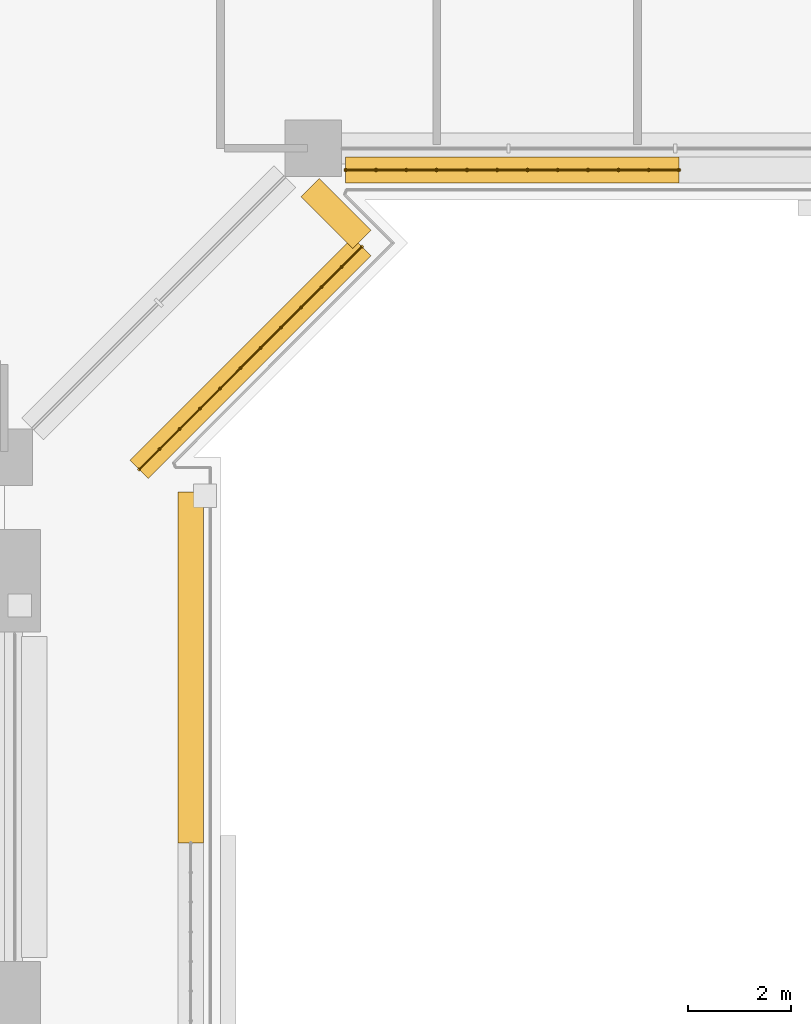
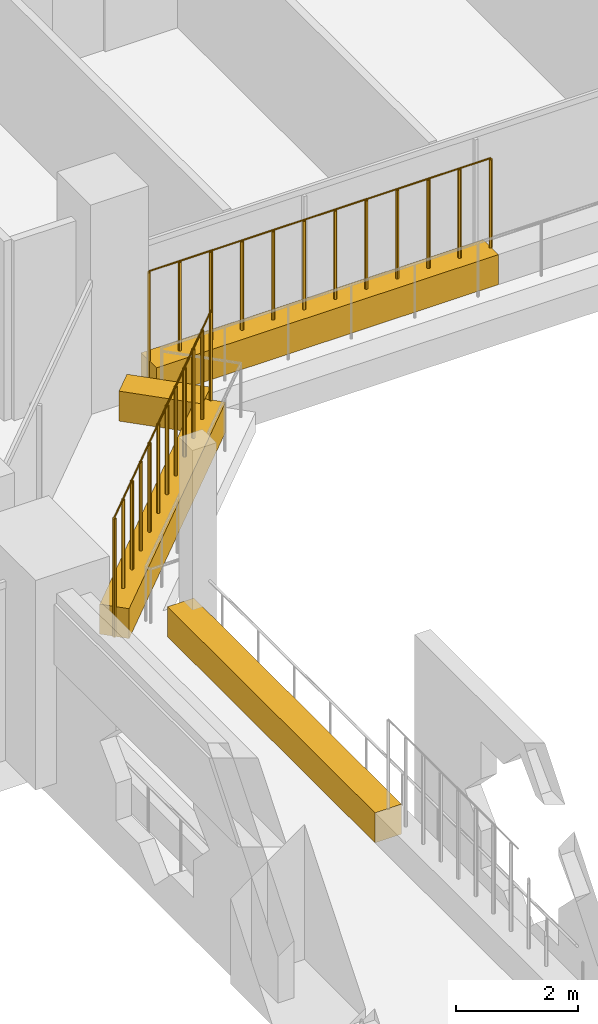
# One storey, part 25 of 29: 4 coverings, 2 railings.
"""IFC4 building model written with IfcOpenShell, lengths in metres."""

from ifc_helpers import new_model, si_unit, direction, frame, origin, origin_2d, place, context, subcontext, project, spatial, rectangle, circle, extrude, material, material_profile, profile_set, type_object, element, save


model = new_model("IFC4")

# Units and contexts
model_context = context("Model", 3, precision=1e-05, world=origin(), true_north=direction((0.0, 1.0)))
body_context = subcontext(model_context, "Body", "Model", "MODEL_VIEW")
ifc_project = project(units=[si_unit("LENGTHUNIT", "METRE"), si_unit("AREAUNIT", "SQUARE_METRE"), si_unit("VOLUMEUNIT", "CUBIC_METRE"), si_unit("PLANEANGLEUNIT", "RADIAN"), si_unit("MASSUNIT", "GRAM", prefix="KILO")], contexts=[model_context])

# Site, building, storey
site_placement = place(None, origin())
site = spatial("IfcSite", under=ifc_project, at=site_placement, CompositionType="ELEMENT")
building_placement = place(site_placement, origin())
building = spatial("IfcBuilding", under=site, at=building_placement, Name="Kawkab Arch Medical Tower", CompositionType="ELEMENT")
storey_placement = place(building_placement, frame((0.0, 0.0, 107.199951171875)))
storey = spatial("IfcBuildingStorey", under=building, at=storey_placement, Name="L24", CompositionType="ELEMENT", Elevation=107.199951171875)

# Coverings
ifc_material_1 = material(Name="Planting soil in a precast trough", Category="concrete")
ifc_material_profile = material_profile(ifc_material_1, rectangle(XDim=0.5, YDim=0.60009765625, at=origin_2d()), Name="Trough 500x600")
ifc_profile_set = profile_set([ifc_material_profile], Name="Planting soil in a precast trough")
covering_type = type_object("IfcCoveringType", Name="Planter trough 500 x 600", PredefinedType="USERDEFINED", material=ifc_profile_set)
covering_1_placement = place(storey_placement, frame((38.30810546875, -25.6201171875, 0.300048828125), z_axis=(-1.0, 0.0, 0.0), x_axis=(0.0, -1.0, 0.0)))
element("IfcCovering", 1, at=covering_1_placement, inside=storey, type_object=covering_type, Name="Planter L24.LOG-01-02.43", ObjectType="PLANTER", PredefinedType="USERDEFINED", context=body_context, shape_type="SweptSolid", body=[
    extrude(rectangle(XDim=0.5, YDim=0.60009765625, at=origin_2d()), origin(), (0.0, 0.0, 1.0), 6.47802734375),
])
covering_2_placement = place(storey_placement, frame((31.14306640625, -25.962890625, 0.300048828125), z_axis=(0.707020805532, -0.707192746389, 0.0), x_axis=(0.707192746389, 0.707020805532, 0.0)))
element("IfcCovering", 2, at=covering_2_placement, inside=storey, type_object=covering_type, Name="Planter L24.LOG-01-02.44", ObjectType="PLANTER", PredefinedType="USERDEFINED", context=body_context, shape_type="SweptSolid", body=[
    extrude(rectangle(XDim=0.5, YDim=0.60009765625, at=origin_2d()), origin(), (0.0, 0.0, 1.0), 1.419921875),
])
covering_3_placement = place(storey_placement, frame((32.14697265625, -27.10888671875, 0.300048828125), z_axis=(-0.707007043994, -0.707206504313, 0.0), x_axis=(0.707206504313, -0.707007043994, 0.0)))
element("IfcCovering", 3, at=covering_3_placement, inside=storey, type_object=covering_type, Name="Planter L24.LOG-01-02.45", ObjectType="PLANTER", PredefinedType="USERDEFINED", context=body_context, shape_type="SweptSolid", body=[
    extrude(rectangle(XDim=0.5, YDim=0.60009765625, at=origin_2d()), origin(), (0.0, 0.0, 1.0), 6.1201171875),
])
covering_4_placement = place(storey_placement, frame((28.820068359375, -31.8798828125, 0.300048828125), z_axis=(0.0, -1.0, 0.0), x_axis=(1.0, 0.0, 0.0)))
element("IfcCovering", 4, at=covering_4_placement, inside=storey, type_object=covering_type, Name="Planter L24.LOG-01-02.46", ObjectType="PLANTER", PredefinedType="USERDEFINED", context=body_context, shape_type="SweptSolid", body=[
    extrude(rectangle(XDim=0.5, YDim=0.60009765625, at=origin_2d()), origin(), (0.0, 0.0, 1.0), 6.81201171875),
])

# Railings
ifc_material_2 = material(Name="Bronze anodised aluminium trellis for climbing plants", Category="aluminium")
railing_type = type_object("IfcRailingType", Name="Planting trellis 2400", PredefinedType="USERDEFINED", material=ifc_material_2)
railing_1_placement = place(storey_placement, frame((38.30810546875, -25.6201171875, 0.0)))
element("IfcRailing", 5, at=railing_1_placement, inside=storey, type_object=railing_type, Name="Planting trellis L24.LOG-01-02.43", ObjectType="TRELLIS", PredefinedType="USERDEFINED", context=body_context, shape_type="SweptSolid", body=[
    extrude(circle(Radius=0.01513671875, at=origin_2d()), frame((0.0, 0.0, 2.384765625), z_axis=(-1.0, 0.0, 0.0), x_axis=(0.0, -1.0, 0.0)), (0.0, 0.0, 1.0), 6.47802734375),
    extrude(circle(Radius=0.030029296875, at=origin_2d()), origin(), (0.0, 0.0, 1.0), 2.369873046875),
    extrude(circle(Radius=0.030029296875, at=origin_2d()), frame((-0.5888671875, 0.0, 0.0)), (0.0, 0.0, 1.0), 2.369873046875),
    extrude(circle(Radius=0.030029296875, at=origin_2d()), frame((-1.177734375, 0.0, 0.0)), (0.0, 0.0, 1.0), 2.369873046875),
    extrude(circle(Radius=0.030029296875, at=origin_2d()), frame((-1.766845703125, 0.0, 0.0)), (0.0, 0.0, 1.0), 2.369873046875),
    extrude(circle(Radius=0.030029296875, at=origin_2d()), frame((-2.355712890625, 0.0, 0.0)), (0.0, 0.0, 1.0), 2.369873046875),
    extrude(circle(Radius=0.030029296875, at=origin_2d()), frame((-2.944580078125, 0.0, 0.0)), (0.0, 0.0, 1.0), 2.369873046875),
    extrude(circle(Radius=0.030029296875, at=origin_2d()), frame((-3.533447265625, 0.0, 0.0)), (0.0, 0.0, 1.0), 2.369873046875),
    extrude(circle(Radius=0.030029296875, at=origin_2d()), frame((-4.122314453125, 0.0, 0.0)), (0.0, 0.0, 1.0), 2.369873046875),
    extrude(circle(Radius=0.030029296875, at=origin_2d()), frame((-4.711181640625, 0.0, 0.0)), (0.0, 0.0, 1.0), 2.369873046875),
    extrude(circle(Radius=0.030029296875, at=origin_2d()), frame((-5.30029296875, 0.0, 0.0)), (0.0, 0.0, 1.0), 2.369873046875),
    extrude(circle(Radius=0.030029296875, at=origin_2d()), frame((-5.88916015625, 0.0, 0.0)), (0.0, 0.0, 1.0), 2.369873046875),
    extrude(circle(Radius=0.030029296875, at=origin_2d()), frame((-6.47802734375, 0.0, 0.0)), (0.0, 0.0, 1.0), 2.369873046875),
])
railing_2_placement = place(storey_placement, frame((32.14697265625, -27.10888671875, 0.0)))
element("IfcRailing", 6, at=railing_2_placement, inside=storey, type_object=railing_type, Name="Planting trellis L24.LOG-01-02.45", ObjectType="TRELLIS", PredefinedType="USERDEFINED", context=body_context, shape_type="SweptSolid", body=[
    extrude(circle(Radius=0.01513671875, at=origin_2d()), frame((0.0, 0.0, 2.384765625), z_axis=(-0.707007043994, -0.707206504313, 0.0), x_axis=(0.707206504313, -0.707007043994, 0.0)), (0.0, 0.0, 1.0), 6.1201171875),
    extrude(circle(Radius=0.030029296875, at=origin_2d()), origin(), (0.0, 0.0, 1.0), 2.369873046875),
    extrude(circle(Radius=0.030029296875, at=origin_2d()), frame((-0.393310546875, -0.3935546875, 0.0)), (0.0, 0.0, 1.0), 2.369873046875),
    extrude(circle(Radius=0.030029296875, at=origin_2d()), frame((-0.78662109375, -0.786865234375, 0.0)), (0.0, 0.0, 1.0), 2.369873046875),
    extrude(circle(Radius=0.030029296875, at=origin_2d()), frame((-1.18017578125, -1.180419921875, 0.0)), (0.0, 0.0, 1.0), 2.369873046875),
    extrude(circle(Radius=0.030029296875, at=origin_2d()), frame((-1.573486328125, -1.573974609375, 0.0)), (0.0, 0.0, 1.0), 2.369873046875),
    extrude(circle(Radius=0.030029296875, at=origin_2d()), frame((-1.966796875, -1.96728515625, 0.0)), (0.0, 0.0, 1.0), 2.369873046875),
    extrude(circle(Radius=0.030029296875, at=origin_2d()), frame((-2.360107421875, -2.36083984375, 0.0)), (0.0, 0.0, 1.0), 2.369873046875),
    extrude(circle(Radius=0.030029296875, at=origin_2d()), frame((-2.75341796875, -2.754150390625, 0.0)), (0.0, 0.0, 1.0), 2.369873046875),
    extrude(circle(Radius=0.030029296875, at=origin_2d()), frame((-3.146728515625, -3.147705078125, 0.0)), (0.0, 0.0, 1.0), 2.369873046875),
    extrude(circle(Radius=0.030029296875, at=origin_2d()), frame((-3.540283203125, -3.541259765625, 0.0)), (0.0, 0.0, 1.0), 2.369873046875),
    extrude(circle(Radius=0.030029296875, at=origin_2d()), frame((-3.93359375, -3.9345703125, 0.0)), (0.0, 0.0, 1.0), 2.369873046875),
    extrude(circle(Radius=0.030029296875, at=origin_2d()), frame((-4.326904296875, -4.328125, 0.0)), (0.0, 0.0, 1.0), 2.369873046875),
])

save(model, "model.ifc")
